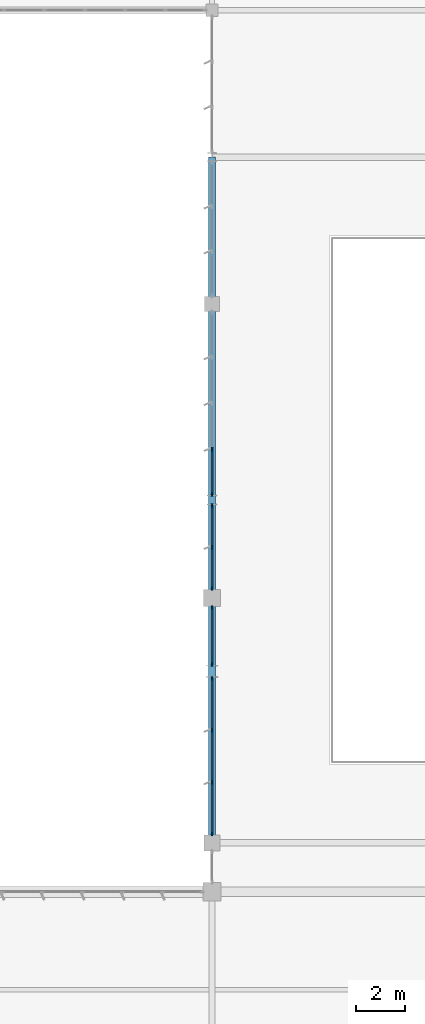
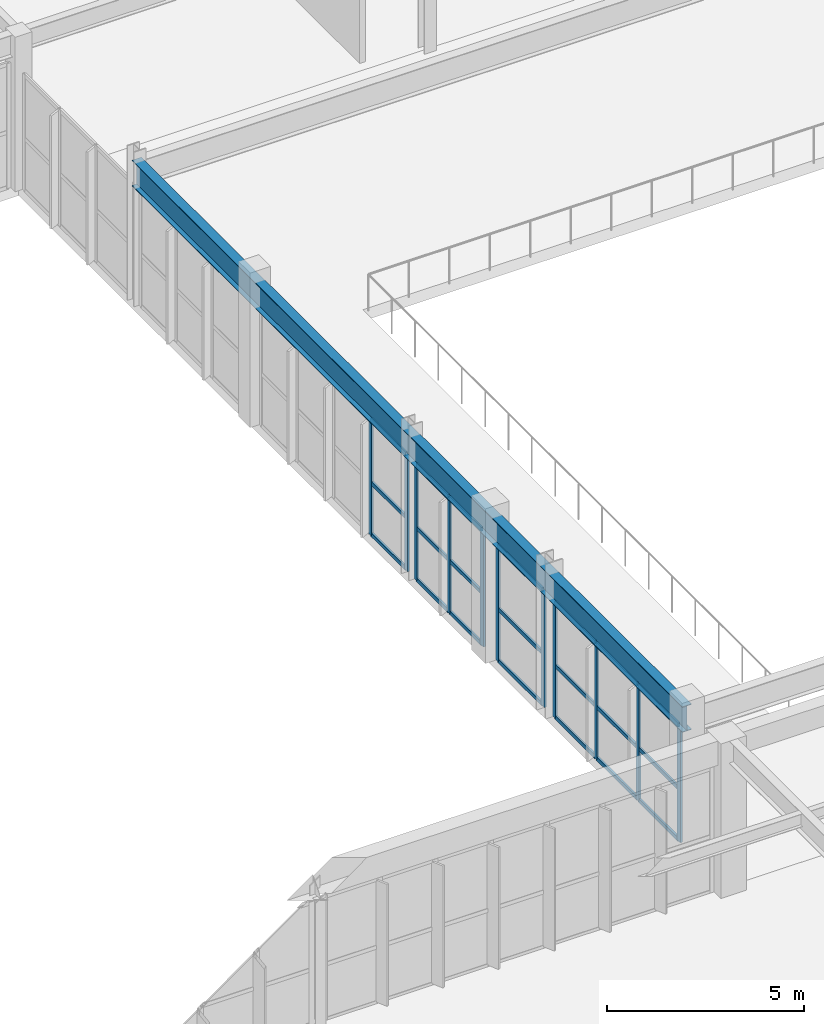
# One storey, part 69 of 186: 32 members, 1 beam, 4 elements without a shape of their own.
"""IFC4 building model written with IfcOpenShell, lengths in metres."""

from ifc_helpers import new_model, si_unit, direction, frame, origin, origin_2d, place, context, subcontext, project, spatial, rectangle, i_section, extrude, material, layer, layer_set, material_profile, profile_set, type_object, element, aggregate, save


model = new_model("IFC4")

# Units and contexts
model_context = context("Model", 3, precision=1e-05, world=origin(), true_north=direction((0.0, 1.0)))
body_context = subcontext(model_context, "Body", "Model", "MODEL_VIEW")
ifc_project = project(units=[si_unit("LENGTHUNIT", "METRE"), si_unit("AREAUNIT", "SQUARE_METRE"), si_unit("VOLUMEUNIT", "CUBIC_METRE"), si_unit("PLANEANGLEUNIT", "RADIAN"), si_unit("MASSUNIT", "GRAM", prefix="KILO")], contexts=[model_context])

# Site, building, storey
site_placement = place(None, origin())
site = spatial("IfcSite", under=ifc_project, at=site_placement, CompositionType="ELEMENT")
building_placement = place(site_placement, origin())
building = spatial("IfcBuilding", under=site, at=building_placement, Name="Tarnwether General Hospital", CompositionType="ELEMENT")
storey_placement = place(building_placement, frame((0.0, 0.0, 9.60009765625)))
storey = spatial("IfcBuildingStorey", under=building, at=storey_placement, Name="L02", CompositionType="ELEMENT", Elevation=9.60009765625)

# Beam
ifc_material_1 = material(Name="Steel Grade 350 (350 MPa)", Category="steel")
ifc_material_profile_1 = material_profile(ifc_material_1, i_section(OverallWidth=0.27490234375, OverallDepth=0.800048828125, WebThickness=0.010009765625, FlangeThickness=0.02001953125, at=origin_2d()), Name="800WB146")
ifc_profile_set_1 = profile_set([ifc_material_profile_1], Name="Steel Grade 350 (350 MPa)")
beam_type = type_object("IfcBeamType", Name="BM-RB1", PredefinedType="BEAM", material=ifc_profile_set_1)
beam_placement = place(storey_placement, frame((108.0, 75.60009765625, 4.02978515625), z_axis=(0.0, -1.0, 0.0), x_axis=(1.0, 0.0, 0.0)))
element("IfcBeam", 1, at=beam_placement, inside=storey, type_object=beam_type, Name="Gridshell Ring Beam 4", PredefinedType="BEAM", context=body_context, shape_type="SweptSolid", body=[
    extrude(i_section(OverallWidth=0.27490234375, OverallDepth=0.800048828125, WebThickness=0.010009765625, FlangeThickness=0.02001953125, at=origin_2d()), origin(), (0.0, 0.0, 1.0), 28.0),
])

# Curtain wall, members
ifc_material_2 = material(Name="Anodised aluminium", Category="aluminium")
ifc_layer = layer(ifc_material_2, 0.179931640625)
ifc_layer_set = layer_set([ifc_layer], Name="Anodised aluminium")
curtain_wall_type = type_object("IfcCurtainWallType", Name="CW-07", PredefinedType="NOTDEFINED", material=ifc_layer_set)
curtain_wall_1_placement = place(storey_placement, origin())
curtain_wall_1 = element("IfcCurtainWall", 2, at=curtain_wall_1_placement, inside=storey, type_object=curtain_wall_type, Name="Curtain Wall CWG-L02-1080_479-0420", PredefinedType="NOTDEFINED")
ifc_material_3 = material(Name="Anodised aluminium", Category="aluminium")
ifc_material_profile_2 = material_profile(ifc_material_3, rectangle(XDim=0.06005859375, YDim=0.159912109375, at=origin_2d()), Name="ALU-MUL-60x160")
ifc_profile_set_2 = profile_set([ifc_material_profile_2], Name="Anodised aluminium")
member_type_1 = type_object("IfcMemberType", Name="CW-ML1", PredefinedType="MULLION", material=ifc_profile_set_2)
member_1_placement = place(storey_placement, frame((108.0, 47.962890625, 0.0), z_axis=(0.0, 0.0, 1.0), x_axis=(-1.0, 0.0, 0.0)))
member_1 = element("IfcMember", 3, at=member_1_placement, type_object=member_type_1, Name="CW-07 mullion 1", PredefinedType="MULLION", context=body_context, shape_type="SweptSolid", body=[
    extrude(rectangle(XDim=0.06005859375, YDim=0.159912109375, at=origin_2d()), origin(), (0.0, 0.0, 1.0), 3.614990234375),
])
member_2_placement = place(storey_placement, frame((108.0, 50.0693359375, 0.0), z_axis=(0.0, 0.0, 1.0), x_axis=(-1.0, 0.0, 0.0)))
member_2 = element("IfcMember", 4, at=member_2_placement, type_object=member_type_1, Name="CW-07 mullion 2", PredefinedType="MULLION", context=body_context, shape_type="SweptSolid", body=[
    extrude(rectangle(XDim=0.06005859375, YDim=0.159912109375, at=origin_2d()), origin(), (0.0, 0.0, 1.0), 3.614990234375),
])
member_3_placement = place(storey_placement, frame((108.0, 52.20556640625, 0.0), z_axis=(0.0, 0.0, 1.0), x_axis=(-1.0, 0.0, 0.0)))
member_3 = element("IfcMember", 5, at=member_3_placement, type_object=member_type_1, Name="CW-07 mullion 3", PredefinedType="MULLION", context=body_context, shape_type="SweptSolid", body=[
    extrude(rectangle(XDim=0.06005859375, YDim=0.159912109375, at=origin_2d()), origin(), (0.0, 0.0, 1.0), 3.614990234375),
])
member_4_placement = place(storey_placement, frame((108.0, 54.31201171875, 0.0), z_axis=(0.0, 0.0, 1.0), x_axis=(-1.0, 0.0, 0.0)))
member_4 = element("IfcMember", 6, at=member_4_placement, type_object=member_type_1, Name="CW-07 mullion 4", PredefinedType="MULLION", context=body_context, shape_type="SweptSolid", body=[
    extrude(rectangle(XDim=0.06005859375, YDim=0.159912109375, at=origin_2d()), origin(), (0.0, 0.0, 1.0), 3.614990234375),
])

curtain_wall_2_placement = place(storey_placement, origin())
curtain_wall_2 = element("IfcCurtainWall", 7, at=curtain_wall_2_placement, inside=storey, type_object=curtain_wall_type, Name="Curtain Wall CWG-L02-1080_549-0421", PredefinedType="NOTDEFINED")
member_5_placement = place(storey_placement, frame((108.0, 54.887939453125, 0.0), z_axis=(0.0, 0.0, 1.0), x_axis=(-1.0, 0.0, 0.0)))
member_5 = element("IfcMember", 8, at=member_5_placement, type_object=member_type_1, Name="CW-07 mullion 1", PredefinedType="MULLION", context=body_context, shape_type="SweptSolid", body=[
    extrude(rectangle(XDim=0.06005859375, YDim=0.159912109375, at=origin_2d()), origin(), (0.0, 0.0, 1.0), 3.614990234375),
])
member_6_placement = place(storey_placement, frame((108.0, 57.2119140625, 0.0), z_axis=(0.0, 0.0, 1.0), x_axis=(-1.0, 0.0, 0.0)))
member_6 = element("IfcMember", 9, at=member_6_placement, type_object=member_type_1, Name="CW-07 mullion 2", PredefinedType="MULLION", context=body_context, shape_type="SweptSolid", body=[
    extrude(rectangle(XDim=0.06005859375, YDim=0.159912109375, at=origin_2d()), origin(), (0.0, 0.0, 1.0), 3.614990234375),
])

curtain_wall_3_placement = place(storey_placement, origin())
curtain_wall_3 = element("IfcCurtainWall", 10, at=curtain_wall_3_placement, inside=storey, type_object=curtain_wall_type, Name="Curtain Wall CWG-L02-1080_580-0422", PredefinedType="NOTDEFINED")
member_7_placement = place(storey_placement, frame((108.0, 57.988037109375, 0.0), z_axis=(0.0, 0.0, 1.0), x_axis=(-1.0, 0.0, 0.0)))
member_7 = element("IfcMember", 11, at=member_7_placement, type_object=member_type_1, Name="CW-07 mullion 1", PredefinedType="MULLION", context=body_context, shape_type="SweptSolid", body=[
    extrude(rectangle(XDim=0.06005859375, YDim=0.159912109375, at=origin_2d()), origin(), (0.0, 0.0, 1.0), 3.614990234375),
])
member_8_placement = place(storey_placement, frame((108.0, 59.675048828125, 0.0), z_axis=(0.0, 0.0, 1.0), x_axis=(-1.0, 0.0, 0.0)))
member_8 = element("IfcMember", 12, at=member_8_placement, type_object=member_type_1, Name="CW-07 mullion 2", PredefinedType="MULLION", context=body_context, shape_type="SweptSolid", body=[
    extrude(rectangle(XDim=0.06005859375, YDim=0.159912109375, at=origin_2d()), origin(), (0.0, 0.0, 1.0), 3.614990234375),
])
member_9_placement = place(storey_placement, frame((108.0, 61.362060546875, 0.0), z_axis=(0.0, 0.0, 1.0), x_axis=(-1.0, 0.0, 0.0)))
member_9 = element("IfcMember", 13, at=member_9_placement, type_object=member_type_1, Name="CW-07 mullion 3", PredefinedType="MULLION", context=body_context, shape_type="SweptSolid", body=[
    extrude(rectangle(XDim=0.06005859375, YDim=0.159912109375, at=origin_2d()), origin(), (0.0, 0.0, 1.0), 3.614990234375),
])

curtain_wall_4_placement = place(storey_placement, origin())
curtain_wall_4 = element("IfcCurtainWall", 14, at=curtain_wall_4_placement, inside=storey, type_object=curtain_wall_type, Name="Curtain Wall CWG-L02-1080_618-0423", PredefinedType="NOTDEFINED")
member_10_placement = place(storey_placement, frame((108.0, 61.837890625, 0.0), z_axis=(0.0, 0.0, 1.0), x_axis=(-1.0, 0.0, 0.0)))
member_10 = element("IfcMember", 15, at=member_10_placement, type_object=member_type_1, Name="CW-07 mullion 1", PredefinedType="MULLION", context=body_context, shape_type="SweptSolid", body=[
    extrude(rectangle(XDim=0.06005859375, YDim=0.159912109375, at=origin_2d()), origin(), (0.0, 0.0, 1.0), 3.614990234375),
])
member_11_placement = place(storey_placement, frame((108.0, 63.678955078125, 0.0), z_axis=(0.0, 0.0, 1.0), x_axis=(-1.0, 0.0, 0.0)))
member_11 = element("IfcMember", 16, at=member_11_placement, type_object=member_type_1, Name="CW-07 mullion 2", PredefinedType="MULLION", context=body_context, shape_type="SweptSolid", body=[
    extrude(rectangle(XDim=0.06005859375, YDim=0.159912109375, at=origin_2d()), origin(), (0.0, 0.0, 1.0), 3.614990234375),
])

# Member
ifc_material_4 = material(Name="Anodised aluminium", Category="aluminium")
ifc_material_profile_3 = material_profile(ifc_material_4, rectangle(XDim=0.06005859375, YDim=0.1201171875, at=origin_2d()), Name="ALU-TRN-60x120")
ifc_profile_set_3 = profile_set([ifc_material_profile_3], Name="Anodised aluminium")
member_type_2 = type_object("IfcMemberType", Name="CW-TR1", PredefinedType="USERDEFINED", material=ifc_profile_set_3)
member_12_placement = place(storey_placement, frame((108.0, 47.992919921875, 0.02978515625), z_axis=(0.0, 1.0, 0.0), x_axis=(-1.0, 0.0, 0.0)))
member_12 = element("IfcMember", 17, at=member_12_placement, type_object=member_type_2, Name="CW-07 transom 1.1", ObjectType="TRANSOM", PredefinedType="USERDEFINED", context=body_context, shape_type="SweptSolid", body=[
    extrude(rectangle(XDim=0.06005859375, YDim=0.1201171875, at=origin_2d()), origin(), (0.0, 0.0, 1.0), 2.04638671875),
])

member_13_placement = place(storey_placement, frame((108.0, 47.992919921875, 1.626708984375), z_axis=(0.0, 1.0, 0.0), x_axis=(-1.0, 0.0, 0.0)))
member_13 = element("IfcMember", 18, at=member_13_placement, type_object=member_type_2, Name="CW-07 transom 1.2", ObjectType="TRANSOM", PredefinedType="USERDEFINED", context=body_context, shape_type="SweptSolid", body=[
    extrude(rectangle(XDim=0.06005859375, YDim=0.1201171875, at=origin_2d()), origin(), (0.0, 0.0, 1.0), 2.04638671875),
])

member_14_placement = place(storey_placement, frame((108.0, 47.992919921875, 3.5849609375), z_axis=(0.0, 1.0, 0.0), x_axis=(-1.0, 0.0, 0.0)))
member_14 = element("IfcMember", 19, at=member_14_placement, type_object=member_type_2, Name="CW-07 transom 1.3", ObjectType="TRANSOM", PredefinedType="USERDEFINED", context=body_context, shape_type="SweptSolid", body=[
    extrude(rectangle(XDim=0.06005859375, YDim=0.1201171875, at=origin_2d()), origin(), (0.0, 0.0, 1.0), 2.04638671875),
])

member_15_placement = place(storey_placement, frame((108.0, 50.099365234375, 0.02978515625), z_axis=(0.0, 1.0, 0.0), x_axis=(-1.0, 0.0, 0.0)))
member_15 = element("IfcMember", 20, at=member_15_placement, type_object=member_type_2, Name="CW-07 transom 2.1", ObjectType="TRANSOM", PredefinedType="USERDEFINED", context=body_context, shape_type="SweptSolid", body=[
    extrude(rectangle(XDim=0.06005859375, YDim=0.1201171875, at=origin_2d()), origin(), (0.0, 0.0, 1.0), 2.076416015625),
])

member_16_placement = place(storey_placement, frame((108.0, 50.099365234375, 1.626708984375), z_axis=(0.0, 1.0, 0.0), x_axis=(-1.0, 0.0, 0.0)))
member_16 = element("IfcMember", 21, at=member_16_placement, type_object=member_type_2, Name="CW-07 transom 2.2", ObjectType="TRANSOM", PredefinedType="USERDEFINED", context=body_context, shape_type="SweptSolid", body=[
    extrude(rectangle(XDim=0.06005859375, YDim=0.1201171875, at=origin_2d()), origin(), (0.0, 0.0, 1.0), 2.076416015625),
])

member_17_placement = place(storey_placement, frame((108.0, 50.099365234375, 3.5849609375), z_axis=(0.0, 1.0, 0.0), x_axis=(-1.0, 0.0, 0.0)))
member_17 = element("IfcMember", 22, at=member_17_placement, type_object=member_type_2, Name="CW-07 transom 2.3", ObjectType="TRANSOM", PredefinedType="USERDEFINED", context=body_context, shape_type="SweptSolid", body=[
    extrude(rectangle(XDim=0.06005859375, YDim=0.1201171875, at=origin_2d()), origin(), (0.0, 0.0, 1.0), 2.076416015625),
])

member_18_placement = place(storey_placement, frame((108.0, 52.235595703125, 0.02978515625), z_axis=(0.0, 1.0, 0.0), x_axis=(-1.0, 0.0, 0.0)))
member_18 = element("IfcMember", 23, at=member_18_placement, type_object=member_type_2, Name="CW-07 transom 3.1", ObjectType="TRANSOM", PredefinedType="USERDEFINED", context=body_context, shape_type="SweptSolid", body=[
    extrude(rectangle(XDim=0.06005859375, YDim=0.1201171875, at=origin_2d()), origin(), (0.0, 0.0, 1.0), 2.04638671875),
])

member_19_placement = place(storey_placement, frame((108.0, 52.235595703125, 1.626708984375), z_axis=(0.0, 1.0, 0.0), x_axis=(-1.0, 0.0, 0.0)))
member_19 = element("IfcMember", 24, at=member_19_placement, type_object=member_type_2, Name="CW-07 transom 3.2", ObjectType="TRANSOM", PredefinedType="USERDEFINED", context=body_context, shape_type="SweptSolid", body=[
    extrude(rectangle(XDim=0.06005859375, YDim=0.1201171875, at=origin_2d()), origin(), (0.0, 0.0, 1.0), 2.04638671875),
])

member_20_placement = place(storey_placement, frame((108.0, 52.235595703125, 3.5849609375), z_axis=(0.0, 1.0, 0.0), x_axis=(-1.0, 0.0, 0.0)))
member_20 = element("IfcMember", 25, at=member_20_placement, type_object=member_type_2, Name="CW-07 transom 3.3", ObjectType="TRANSOM", PredefinedType="USERDEFINED", context=body_context, shape_type="SweptSolid", body=[
    extrude(rectangle(XDim=0.06005859375, YDim=0.1201171875, at=origin_2d()), origin(), (0.0, 0.0, 1.0), 2.04638671875),
])

aggregate(curtain_wall_1, [member_1, member_2, member_3, member_4, member_12, member_13, member_14, member_15, member_16, member_17, member_18, member_19, member_20])

member_21_placement = place(storey_placement, frame((108.0, 54.91796875, 0.02978515625), z_axis=(0.0, 1.0, 0.0), x_axis=(-1.0, 0.0, 0.0)))
member_21 = element("IfcMember", 26, at=member_21_placement, type_object=member_type_2, Name="CW-07 transom 1.1", ObjectType="TRANSOM", PredefinedType="USERDEFINED", context=body_context, shape_type="SweptSolid", body=[
    extrude(rectangle(XDim=0.06005859375, YDim=0.1201171875, at=origin_2d()), origin(), (0.0, 0.0, 1.0), 2.263916015625),
])

member_22_placement = place(storey_placement, frame((108.0, 54.91796875, 1.626708984375), z_axis=(0.0, 1.0, 0.0), x_axis=(-1.0, 0.0, 0.0)))
member_22 = element("IfcMember", 27, at=member_22_placement, type_object=member_type_2, Name="CW-07 transom 1.2", ObjectType="TRANSOM", PredefinedType="USERDEFINED", context=body_context, shape_type="SweptSolid", body=[
    extrude(rectangle(XDim=0.06005859375, YDim=0.1201171875, at=origin_2d()), origin(), (0.0, 0.0, 1.0), 2.263916015625),
])

member_23_placement = place(storey_placement, frame((108.0, 54.91796875, 3.5849609375), z_axis=(0.0, 1.0, 0.0), x_axis=(-1.0, 0.0, 0.0)))
member_23 = element("IfcMember", 28, at=member_23_placement, type_object=member_type_2, Name="CW-07 transom 1.3", ObjectType="TRANSOM", PredefinedType="USERDEFINED", context=body_context, shape_type="SweptSolid", body=[
    extrude(rectangle(XDim=0.06005859375, YDim=0.1201171875, at=origin_2d()), origin(), (0.0, 0.0, 1.0), 2.263916015625),
])

aggregate(curtain_wall_2, [member_5, member_6, member_21, member_22, member_23])

member_24_placement = place(storey_placement, frame((108.0, 58.01806640625, 0.02978515625), z_axis=(0.0, 1.0, 0.0), x_axis=(-1.0, 0.0, 0.0)))
member_24 = element("IfcMember", 29, at=member_24_placement, type_object=member_type_2, Name="CW-07 transom 1.1", ObjectType="TRANSOM", PredefinedType="USERDEFINED", context=body_context, shape_type="SweptSolid", body=[
    extrude(rectangle(XDim=0.06005859375, YDim=0.1201171875, at=origin_2d()), origin(), (0.0, 0.0, 1.0), 1.626953125),
])

member_25_placement = place(storey_placement, frame((108.0, 58.01806640625, 1.626708984375), z_axis=(0.0, 1.0, 0.0), x_axis=(-1.0, 0.0, 0.0)))
member_25 = element("IfcMember", 30, at=member_25_placement, type_object=member_type_2, Name="CW-07 transom 1.2", ObjectType="TRANSOM", PredefinedType="USERDEFINED", context=body_context, shape_type="SweptSolid", body=[
    extrude(rectangle(XDim=0.06005859375, YDim=0.1201171875, at=origin_2d()), origin(), (0.0, 0.0, 1.0), 1.626953125),
])

member_26_placement = place(storey_placement, frame((108.0, 58.01806640625, 3.5849609375), z_axis=(0.0, 1.0, 0.0), x_axis=(-1.0, 0.0, 0.0)))
member_26 = element("IfcMember", 31, at=member_26_placement, type_object=member_type_2, Name="CW-07 transom 1.3", ObjectType="TRANSOM", PredefinedType="USERDEFINED", context=body_context, shape_type="SweptSolid", body=[
    extrude(rectangle(XDim=0.06005859375, YDim=0.1201171875, at=origin_2d()), origin(), (0.0, 0.0, 1.0), 1.626953125),
])

member_27_placement = place(storey_placement, frame((108.0, 59.705078125, 0.02978515625), z_axis=(0.0, 1.0, 0.0), x_axis=(-1.0, 0.0, 0.0)))
member_27 = element("IfcMember", 32, at=member_27_placement, type_object=member_type_2, Name="CW-07 transom 2.1", ObjectType="TRANSOM", PredefinedType="USERDEFINED", context=body_context, shape_type="SweptSolid", body=[
    extrude(rectangle(XDim=0.06005859375, YDim=0.1201171875, at=origin_2d()), origin(), (0.0, 0.0, 1.0), 1.626953125),
])

member_28_placement = place(storey_placement, frame((108.0, 59.705078125, 1.626708984375), z_axis=(0.0, 1.0, 0.0), x_axis=(-1.0, 0.0, 0.0)))
member_28 = element("IfcMember", 33, at=member_28_placement, type_object=member_type_2, Name="CW-07 transom 2.2", ObjectType="TRANSOM", PredefinedType="USERDEFINED", context=body_context, shape_type="SweptSolid", body=[
    extrude(rectangle(XDim=0.06005859375, YDim=0.1201171875, at=origin_2d()), origin(), (0.0, 0.0, 1.0), 1.626953125),
])

member_29_placement = place(storey_placement, frame((108.0, 59.705078125, 3.5849609375), z_axis=(0.0, 1.0, 0.0), x_axis=(-1.0, 0.0, 0.0)))
member_29 = element("IfcMember", 34, at=member_29_placement, type_object=member_type_2, Name="CW-07 transom 2.3", ObjectType="TRANSOM", PredefinedType="USERDEFINED", context=body_context, shape_type="SweptSolid", body=[
    extrude(rectangle(XDim=0.06005859375, YDim=0.1201171875, at=origin_2d()), origin(), (0.0, 0.0, 1.0), 1.626953125),
])

aggregate(curtain_wall_3, [member_7, member_8, member_9, member_24, member_25, member_26, member_27, member_28, member_29])

member_30_placement = place(storey_placement, frame((108.0, 61.867919921875, 0.02978515625), z_axis=(0.0, 1.0, 0.0), x_axis=(-1.0, 0.0, 0.0)))
member_30 = element("IfcMember", 35, at=member_30_placement, type_object=member_type_2, Name="CW-07 transom 1.1", ObjectType="TRANSOM", PredefinedType="USERDEFINED", context=body_context, shape_type="SweptSolid", body=[
    extrude(rectangle(XDim=0.06005859375, YDim=0.1201171875, at=origin_2d()), origin(), (0.0, 0.0, 1.0), 1.781005859375),
])

member_31_placement = place(storey_placement, frame((108.0, 61.867919921875, 1.626708984375), z_axis=(0.0, 1.0, 0.0), x_axis=(-1.0, 0.0, 0.0)))
member_31 = element("IfcMember", 36, at=member_31_placement, type_object=member_type_2, Name="CW-07 transom 1.2", ObjectType="TRANSOM", PredefinedType="USERDEFINED", context=body_context, shape_type="SweptSolid", body=[
    extrude(rectangle(XDim=0.06005859375, YDim=0.1201171875, at=origin_2d()), origin(), (0.0, 0.0, 1.0), 1.781005859375),
])

member_32_placement = place(storey_placement, frame((108.0, 61.867919921875, 3.5849609375), z_axis=(0.0, 1.0, 0.0), x_axis=(-1.0, 0.0, 0.0)))
member_32 = element("IfcMember", 37, at=member_32_placement, type_object=member_type_2, Name="CW-07 transom 1.3", ObjectType="TRANSOM", PredefinedType="USERDEFINED", context=body_context, shape_type="SweptSolid", body=[
    extrude(rectangle(XDim=0.06005859375, YDim=0.1201171875, at=origin_2d()), origin(), (0.0, 0.0, 1.0), 1.781005859375),
])

aggregate(curtain_wall_4, [member_10, member_11, member_30, member_31, member_32])

save(model, "model.ifc")
